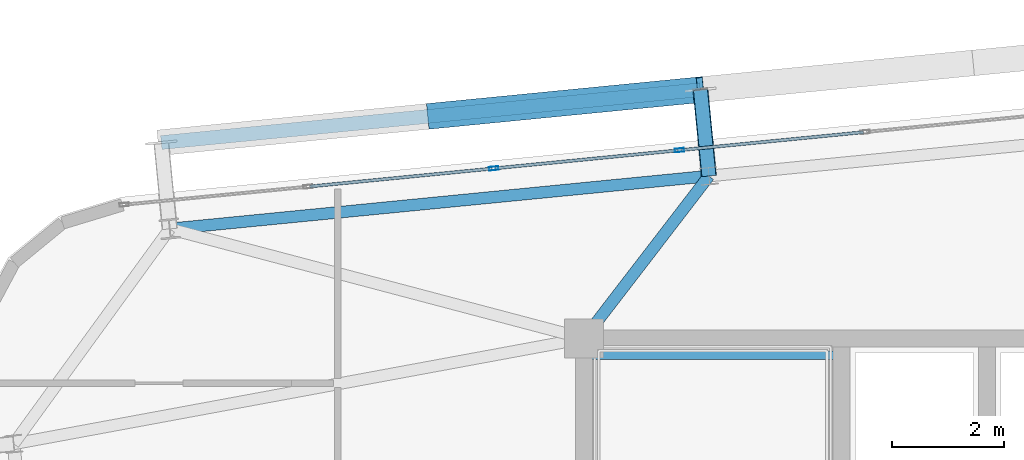
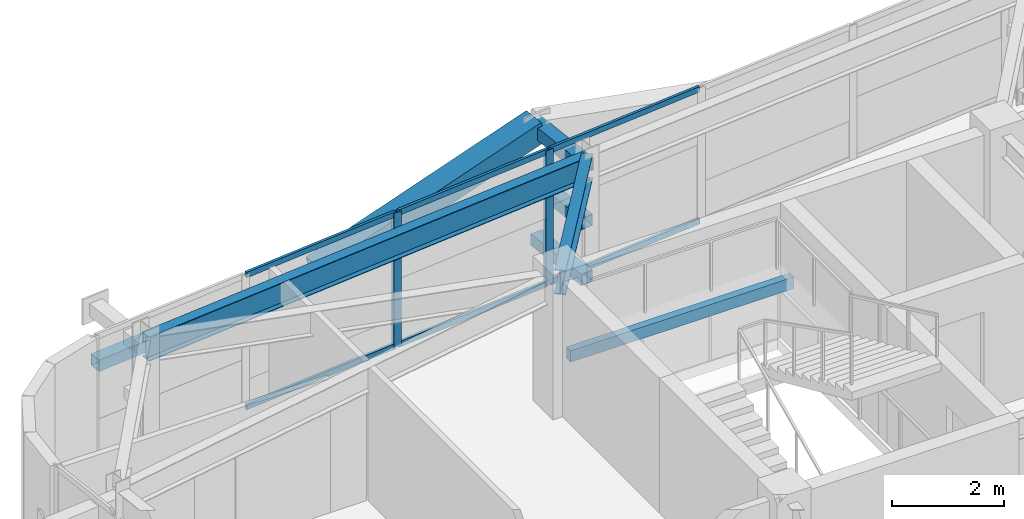
# One storey, part 28 of 52: 13 members, 3 beams, 1 element without a shape of its own.
"""IFC4 building model written with IfcOpenShell, lengths in metres."""

from ifc_helpers import new_model, si_unit, direction, frame, origin, origin_2d, place, context, subcontext, project, spatial, hollow_rectangle, i_section, extrude, source, transform, mapped, material, layer, layer_set, material_profile, profile_set, type_object, element, aggregate, save


model = new_model("IFC4")

# Units and contexts
model_context = context("Model", 3, precision=1e-05, world=origin(), true_north=direction((0.0, 1.0)))
body_context = subcontext(model_context, "Body", "Model", "MODEL_VIEW")
ifc_project = project(units=[si_unit("LENGTHUNIT", "METRE"), si_unit("AREAUNIT", "SQUARE_METRE"), si_unit("VOLUMEUNIT", "CUBIC_METRE"), si_unit("PLANEANGLEUNIT", "RADIAN"), si_unit("MASSUNIT", "GRAM", prefix="KILO")], contexts=[model_context])

# Site, building, storey
site_placement = place(None, origin())
site = spatial("IfcSite", under=ifc_project, at=site_placement, CompositionType="ELEMENT")
building_placement = place(site_placement, origin())
building = spatial("IfcBuilding", under=site, at=building_placement, Name="Taldren Reach Tower", CompositionType="ELEMENT")
storey_placement = place(building_placement, frame((0.0, 0.0, 93.449951171875)))
storey = spatial("IfcBuildingStorey", under=building, at=storey_placement, Name="L28", CompositionType="ELEMENT", Elevation=93.449951171875)

# Beams
ifc_material_1 = material(Name="Steel Gr 350 (350PLUS)", Category="steel")
ifc_material_profile_1 = material_profile(ifc_material_1, i_section(OverallWidth=0.208984375, OverallDepth=0.528076171875, WebThickness=0.009521484375, FlangeThickness=0.01318359375, at=origin_2d()), Name="530UB82.0")
ifc_profile_set_1 = profile_set([ifc_material_profile_1], Name="Steel Gr 350 (350PLUS)")
beam_type_1 = type_object("IfcBeamType", Name="SP-UB530B", PredefinedType="SPANDREL", material=ifc_profile_set_1)
shared_shape_1 = source(origin(), body_context, "Body", "SweptSolid", [
    extrude(i_section(OverallWidth=0.208984375, OverallDepth=0.528076171875, WebThickness=0.009521484375, FlangeThickness=0.01318359375, at=origin_2d()), origin(), (0.0, 0.0, 1.0), 9.679931640625),
])
beam_1_placement = place(storey_placement, frame((21.230712890625, 34.9013671875, 2.666015625), z_axis=(-0.995227612658, -0.097580730699, 0.0), x_axis=(0.097580730699, -0.995227612658, 0.0)))
element("IfcBeam", 1, at=beam_1_placement, inside=storey, type_object=beam_type_1, Name="Perimeter spandrel B2 N2-N1 L28", PredefinedType="SPANDREL", context=body_context, shape_type="MappedRepresentation", body=[
    mapped(shared_shape_1, transform((0.0, 0.0, 0.0), scale=1.0)),
])
ifc_material_profile_2 = material_profile(ifc_material_1, i_section(OverallWidth=0.208984375, OverallDepth=0.532958984375, WebThickness=0.01025390625, FlangeThickness=0.015625, at=origin_2d()), Name="530UB92.4")
ifc_profile_set_2 = profile_set([ifc_material_profile_2], Name="Steel Gr 350 (350PLUS)")
beam_type_2 = type_object("IfcBeamType", Name="BM-UB530A", PredefinedType="BEAM", material=ifc_profile_set_2)
shared_shape_2 = source(origin(), body_context, "Body", "SweptSolid", [
    extrude(i_section(OverallWidth=0.208984375, OverallDepth=0.532958984375, WebThickness=0.01025390625, FlangeThickness=0.015625, at=origin_2d()), origin(), (0.0, 0.0, 1.0), 3.65966796875),
])
beam_2_placement = place(storey_placement, frame((19.0, 32.0, 2.66357421875), z_axis=(0.609520535722, 0.792770279799, 0.0), x_axis=(-0.792770279799, 0.609520535722, 0.0)))
element("IfcBeam", 2, at=beam_2_placement, inside=storey, type_object=beam_type_2, Name="Primary floor girder B2-N2 L28", PredefinedType="BEAM", context=body_context, shape_type="MappedRepresentation", body=[
    mapped(shared_shape_2, transform((0.0, 0.0, 0.0), scale=1.0)),
])

# Members
ifc_material_2 = material(Name="Steel Gr 450 (C450L0)", Category="steel")
ifc_material_profile_3 = material_profile(ifc_material_2, hollow_rectangle(XDim=0.27490234375, YDim=0.27490234375, WallThickness=0.00927734375, at=origin_2d()), Name="275x275x9.3SHS")
ifc_profile_set_3 = profile_set([ifc_material_profile_3], Name="Steel Gr 450 (C450L0)")
member_type_1 = type_object("IfcMemberType", Name="MB-TIE273", PredefinedType="STRUT", material=ifc_profile_set_3)
shared_shape_3 = source(origin(), body_context, "Body", "SweptSolid", [
    extrude(hollow_rectangle(XDim=0.27490234375, YDim=0.27490234375, WallThickness=0.00927734375, at=origin_2d()), origin(), (0.0, 0.0, 1.0), 1.550048828125),
])
member_1_placement = place(storey_placement, frame((21.230712890625, 34.9013671875, 2.650146484375), z_axis=(-0.097647892962, 0.9952210252, 0.0), x_axis=(-0.9952210252, -0.097647892962, 0.0)))
element("IfcMember", 3, at=member_1_placement, inside=storey, type_object=member_type_1, Name="Exoskeleton diaphragm tie strut B2-N2 L28", PredefinedType="STRUT", context=body_context, shape_type="MappedRepresentation", body=[
    mapped(shared_shape_3, transform((0.0, 0.0, 0.0), scale=1.0)),
])
ifc_material_profile_4 = material_profile(ifc_material_2, hollow_rectangle(XDim=0.4599609375, YDim=0.4599609375, WallThickness=0.01611328125, at=origin_2d()), Name="460x460x16.0SHS")
ifc_profile_set_4 = profile_set([ifc_material_profile_4], Name="Steel Gr 450 (C450L0)")
member_type_2 = type_object("IfcMemberType", Name="MB-EXO457", PredefinedType="BRACE", material=ifc_profile_set_4)
shared_shape_4 = source(origin(), body_context, "Body", "SweptSolid", [
    extrude(hollow_rectangle(XDim=0.4599609375, YDim=0.4599609375, WallThickness=0.01611328125, at=origin_2d()), origin(), (0.0, 0.0, 1.0), 4.990234375),
])
member_2_placement = place(storey_placement, frame((16.262451171875, 35.9716796875, 1.43505859375), z_axis=(0.965271056716, 0.094667992638, 0.243494883389), x_axis=(-0.097605711627, 0.995225162995, 0.0)))
element("IfcMember", 4, at=member_2_placement, inside=storey, type_object=member_type_2, Name="Exoskeleton Diagrid Brace B2-N1 L28", PredefinedType="BRACE", context=body_context, shape_type="MappedRepresentation", body=[
    mapped(shared_shape_4, transform((0.0, 0.0, 0.0), scale=1.0)),
])
ifc_material_3 = material(Name="Steel Gr 350 (C350L0)", Category="steel")
ifc_material_profile_5 = material_profile(ifc_material_3, hollow_rectangle(XDim=0.25, YDim=0.25, WallThickness=0.010009765625, at=origin_2d()), Name="250x250x10.0SHS")
ifc_profile_set_5 = profile_set([ifc_material_profile_5], Name="Steel Gr 350 (C350L0)")
member_type_3 = type_object("IfcMemberType", Name="MB-POST250", PredefinedType="POST", material=ifc_profile_set_5)
shared_shape_5 = source(origin(), body_context, "Body", "SweptSolid", [
    extrude(hollow_rectangle(XDim=0.25, YDim=0.25, WallThickness=0.010009765625, at=origin_2d()), origin(), (0.0, 0.0, 1.0), 9.679931640625),
])
member_3_placement = place(storey_placement, frame((11.445556640625, 35.49951171875, 1.43505859375), z_axis=(0.995227612658, 0.097580730699, 0.0), x_axis=(-0.097580730699, 0.995227612658, 0.0)))
element("IfcMember", 5, at=member_3_placement, inside=storey, type_object=member_type_3, Name="Exoskeleton mid-height ring chord B2-N1 L28", PredefinedType="POST", context=body_context, shape_type="MappedRepresentation", body=[
    mapped(shared_shape_5, transform((0.0, 0.0, 0.0), scale=1.0)),
])
shared_shape_6 = source(origin(), body_context, "Body", "SweptSolid", [
    extrude(hollow_rectangle(XDim=0.25, YDim=0.25, WallThickness=0.010009765625, at=origin_2d()), origin(), (0.0, 0.0, 1.0), 1.550048828125),
])
for number, where, z_axis, x_axis, name in (
    (6, (21.230712890625, 34.9013671875, 0.219970703125), (-0.097647892962, 0.9952210252, 0.0), (-0.9952210252, -0.097647892962, 0.0), "Exoskeleton base diaphragm tie strut B2-N2 L28"),
    (7, (21.230712890625, 34.9013671875, 1.43505859375), (-0.097647892962, 0.9952210252, 0.0), (-0.9952210252, -0.097647892962, 0.0), "Exoskeleton mid-tier diaphragm tie B2-N2 L28"),
):
    element("IfcMember", number, at=place(storey_placement, frame(where, z_axis=z_axis, x_axis=x_axis)), inside=storey, type_object=member_type_3, Name=name, PredefinedType="POST", context=body_context, shape_type="MappedRepresentation", body=[
        mapped(shared_shape_6, transform((0.0, 0.0, 0.0), scale=1.0)),
    ])

# Curtain wall, members
ifc_material_4 = material(Name="Aluminium and Low-E Glass Unitised System", Category="aluminium")
ifc_layer = layer(ifc_material_4, 0.159912109375)
ifc_layer_set = layer_set([ifc_layer], Name="Aluminium and Low-E Glass Unitised System")
curtain_wall_type = type_object("IfcCurtainWallType", Name="CW-SYS-3", PredefinedType="NOTDEFINED", material=ifc_layer_set)
curtain_wall_placement = place(storey_placement, origin())
curtain_wall = element("IfcCurtainWall", 8, at=curtain_wall_placement, inside=storey, type_object=curtain_wall_type, Name="Unitised curtain wall CW-L28-N", PredefinedType="NOTDEFINED")
ifc_material_5 = material(Name="Anodised Aluminium 6063-T6", Category="aluminium")
ifc_material_profile_6 = material_profile(ifc_material_5, hollow_rectangle(XDim=0.06494140625, YDim=0.1650390625, WallThickness=0.00390625, at=origin_2d()), Name="ALU-165x65x4RHS")
ifc_profile_set_6 = profile_set([ifc_material_profile_6], Name="Anodised Aluminium 6063-T6")
member_type_4 = type_object("IfcMemberType", Name="CW-MUL-165", PredefinedType="MULLION", material=ifc_profile_set_6)
shared_shape_7 = source(origin(), body_context, "Body", "SweptSolid", [
    extrude(hollow_rectangle(XDim=0.06494140625, YDim=0.1650390625, WallThickness=0.00390625, at=origin_2d()), origin(), (0.0, 0.0, 1.0), 2.929931640625),
])
member_4_placement = place(storey_placement, frame((20.703125, 35.3623046875, 0.0), z_axis=(0.0, 0.0, 1.0), x_axis=(0.097582999046, -0.995227390247, 0.0)))
member_4 = element("IfcMember", 9, at=member_4_placement, type_object=member_type_4, Name="CW-3 mullion 13", PredefinedType="MULLION", context=body_context, shape_type="MappedRepresentation", body=[
    mapped(shared_shape_7, transform((0.0, 0.0, 0.0), scale=1.0)),
])
member_5_placement = place(storey_placement, frame((17.3857421875, 35.036865234375, 0.0), z_axis=(0.0, 0.0, 1.0), x_axis=(0.097582999046, -0.995227390247, 0.0)))
member_5 = element("IfcMember", 10, at=member_5_placement, type_object=member_type_4, Name="CW-3 mullion 14", PredefinedType="MULLION", context=body_context, shape_type="MappedRepresentation", body=[
    mapped(shared_shape_7, transform((0.0, 0.0, 0.0), scale=1.0)),
])
ifc_material_profile_7 = material_profile(ifc_material_5, hollow_rectangle(XDim=0.054931640625, YDim=0.1201171875, WallThickness=0.0029296875, at=origin_2d()), Name="ALU-120x55x3RHS")
ifc_profile_set_7 = profile_set([ifc_material_profile_7], Name="Anodised Aluminium 6063-T6")
member_type_5 = type_object("IfcMemberType", Name="CW-TRN-135", PredefinedType="USERDEFINED", material=ifc_profile_set_7)
shared_shape_8 = source(origin(), body_context, "Body", "SweptSolid", [
    extrude(hollow_rectangle(XDim=0.054931640625, YDim=0.1201171875, WallThickness=0.0029296875, at=origin_2d()), origin(), (0.0, 0.0, 1.0), 3.268310546875),
])
member_6_placement = place(storey_placement, frame((23.98828125, 35.684326171875, 0.027587890625), z_axis=(-0.99522980512, -0.097558367146, 0.0), x_axis=(0.097558367146, -0.99522980512, 0.0)))
member_6 = element("IfcMember", 11, at=member_6_placement, type_object=member_type_5, Name="CW-3 transom 12.1", ObjectType="TRANSOM", PredefinedType="USERDEFINED", context=body_context, shape_type="MappedRepresentation", body=[
    mapped(shared_shape_8, transform((0.0, 0.0, 0.0), scale=1.0)),
])
member_7_placement = place(storey_placement, frame((23.98828125, 35.684326171875, 2.902587890625), z_axis=(-0.99522980512, -0.097558367146, 0.0), x_axis=(0.097558367146, -0.99522980512, 0.0)))
member_7 = element("IfcMember", 12, at=member_7_placement, type_object=member_type_5, Name="CW-3 transom 12.2", ObjectType="TRANSOM", PredefinedType="USERDEFINED", context=body_context, shape_type="MappedRepresentation", body=[
    mapped(shared_shape_8, transform((0.0, 0.0, 0.0), scale=1.0)),
])
member_8_placement = place(storey_placement, frame((17.353271484375, 35.03369140625, 0.027587890625), z_axis=(-0.99522980512, -0.097558367146, 0.0), x_axis=(0.097558367146, -0.99522980512, 0.0)))
member_8 = element("IfcMember", 13, at=member_8_placement, type_object=member_type_5, Name="CW-3 transom 14.1", ObjectType="TRANSOM", PredefinedType="USERDEFINED", context=body_context, shape_type="MappedRepresentation", body=[
    mapped(shared_shape_8, transform((0.0, 0.0, 0.0), scale=1.0)),
])
member_9_placement = place(storey_placement, frame((17.353271484375, 35.03369140625, 2.902587890625), z_axis=(-0.99522980512, -0.097558367146, 0.0), x_axis=(0.097558367146, -0.99522980512, 0.0)))
member_9 = element("IfcMember", 14, at=member_9_placement, type_object=member_type_5, Name="CW-3 transom 14.2", ObjectType="TRANSOM", PredefinedType="USERDEFINED", context=body_context, shape_type="MappedRepresentation", body=[
    mapped(shared_shape_8, transform((0.0, 0.0, 0.0), scale=1.0)),
])
shared_shape_9 = source(origin(), body_context, "Body", "SweptSolid", [
    extrude(hollow_rectangle(XDim=0.054931640625, YDim=0.1201171875, WallThickness=0.0029296875, at=origin_2d()), origin(), (0.0, 0.0, 1.0), 3.2685546875),
])
member_10_placement = place(storey_placement, frame((20.6708984375, 35.359130859375, 0.027587890625), z_axis=(-0.995223261527, -0.09762509778, 0.0), x_axis=(0.09762509778, -0.995223261527, 0.0)))
member_10 = element("IfcMember", 15, at=member_10_placement, type_object=member_type_5, Name="CW-3 transom 13.1", ObjectType="TRANSOM", PredefinedType="USERDEFINED", context=body_context, shape_type="MappedRepresentation", body=[
    mapped(shared_shape_9, transform((0.0, 0.0, 0.0), scale=1.0)),
])
member_11_placement = place(storey_placement, frame((20.6708984375, 35.359130859375, 2.902587890625), z_axis=(-0.995223261527, -0.09762509778, 0.0), x_axis=(0.09762509778, -0.995223261527, 0.0)))
member_11 = element("IfcMember", 16, at=member_11_placement, type_object=member_type_5, Name="CW-3 transom 13.2", ObjectType="TRANSOM", PredefinedType="USERDEFINED", context=body_context, shape_type="MappedRepresentation", body=[
    mapped(shared_shape_9, transform((0.0, 0.0, 0.0), scale=1.0)),
])
aggregate(curtain_wall, [member_4, member_5, member_6, member_7, member_10, member_11, member_8, member_9])

# Beam
ifc_material_profile_8 = material_profile(ifc_material_3, hollow_rectangle(XDim=0.14990234375, YDim=0.25, WallThickness=0.009033203125, at=origin_2d()), Name="250x150x9.0RHS")
ifc_profile_set_8 = profile_set([ifc_material_profile_8], Name="Steel Gr 350 (C350L0)")
beam_type_3 = type_object("IfcBeamType", Name="LN-RHS250", PredefinedType="LINTEL", material=ifc_profile_set_8)
shared_shape_10 = source(origin(), body_context, "Body", "SweptSolid", [
    extrude(hollow_rectangle(XDim=0.14990234375, YDim=0.25, WallThickness=0.009033203125, at=origin_2d()), origin(), (0.0, 0.0, 1.0), 4.60009765625),
])
beam_3_placement = place(storey_placement, frame((19.0, 31.699951171875, 1.27001953125), z_axis=(1.0, 0.0, 0.0), x_axis=(0.0, 1.0, 0.0)))
element("IfcBeam", 17, at=beam_3_placement, inside=storey, type_object=beam_type_3, Name="Stair half-landing support beam ST1-L28-2", PredefinedType="LINTEL", context=body_context, shape_type="MappedRepresentation", body=[
    mapped(shared_shape_10, transform((0.0, 0.0, 0.0), scale=1.0)),
])

save(model, "model.ifc")
